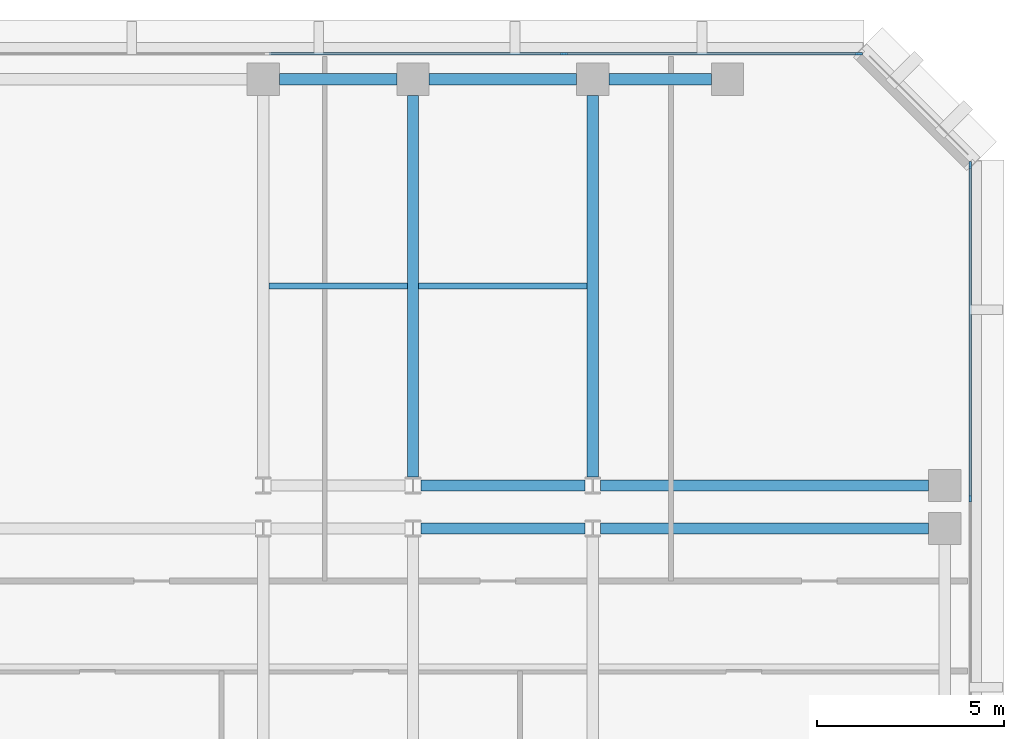
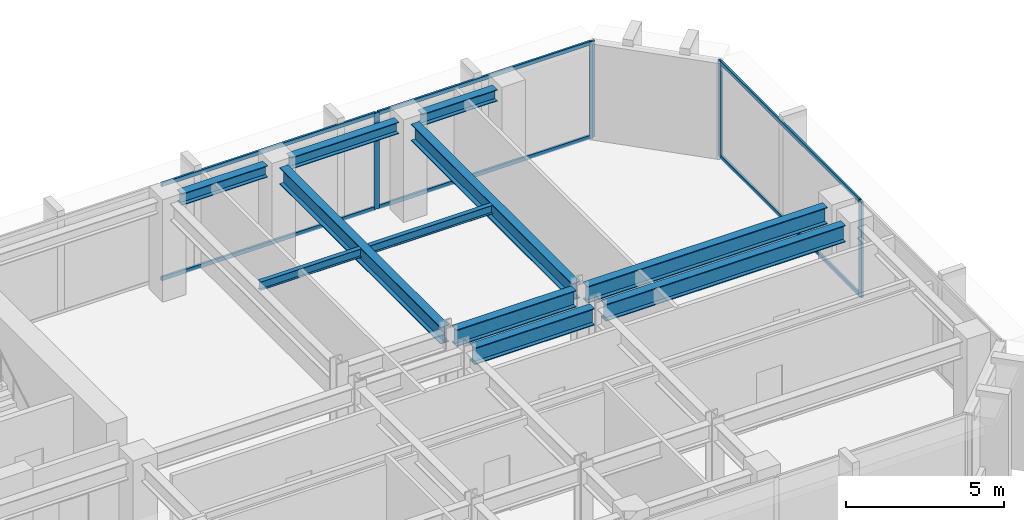
# One storey, part 5 of 12: 11 beams, 10 members, 2 elements without a shape of their own.
"""IFC4 building model written with IfcOpenShell, lengths in metres."""

import ifcopenshell
import ifcopenshell.guid

model = None  # the IFC model being written
_history = None  # IfcOwnerHistory: only IFC2X3 demands one
_inside = {}  # id of a spatial element -> (the spatial element, [elements in it])
_under = {}  # id of a project, library or spatial element -> (it, [spatial elements below it])
_declared = {}  # id of a project -> (the project, [libraries it declares])
_typed = {}  # id of a type object -> (the type object, [elements of that type])
_made_of = {}  # id of a material, layer set ... -> (it, [elements and type objects made of it])


def new_model(schema):
    """Start an empty IFC model of exactly this schema.

    Asked for "IFC4X3", IfcOpenShell would pick the latest addendum, in which some entities
    have other attributes; the version numbers below select the first issue.
    IFC2X3 requires an IfcOwnerHistory on every rooted entity: one is made here for all.
    """
    global model, _history
    if schema == "IFC4X3":
        model = ifcopenshell.file(schema_version=(4, 3, 0, 0))
    else:
        model = ifcopenshell.file(schema=schema)
    _inside.clear()
    _under.clear()
    _declared.clear()
    _typed.clear()
    _made_of.clear()
    _history = None
    if model.schema == "IFC2X3":
        org = make("IfcOrganization", Name="unknown")
        user = make(
            "IfcPersonAndOrganization",
            ThePerson=make("IfcPerson", FamilyName="unknown"),
            TheOrganization=org,
        )
        app = make(
            "IfcApplication",
            ApplicationDeveloper=org,
            Version="unknown",
            ApplicationFullName="unknown",
            ApplicationIdentifier="unknown",
        )
        _history = make(
            "IfcOwnerHistory",
            OwningUser=user,
            OwningApplication=app,
            ChangeAction="ADDED",
            CreationDate=0,
        )
    return model


def make(cls, **values):
    """One entity of the class cls with the attributes given. An attribute that is None is left unset."""
    return model.create_entity(
        cls, **{name: value for name, value in values.items() if value is not None}
    )


def rooted(cls, **values):
    """An entity with a GlobalId (a new one), such as an element, a storey or a relation."""
    return make(cls, GlobalId=ifcopenshell.guid.new(), OwnerHistory=_history, **values)


def si_unit(unit_type, name, prefix=None):
    """IfcSIUnit, for example si_unit("LENGTHUNIT", "METRE", prefix="MILLI")."""
    return make("IfcSIUnit", UnitType=unit_type, Prefix=prefix, Name=name)


def assignment(units):
    """IfcUnitAssignment: the units of a project."""
    return None if units is None else make("IfcUnitAssignment", Units=units)


def point(xyz):
    """IfcCartesianPoint."""
    return None if xyz is None else make("IfcCartesianPoint", Coordinates=xyz)


def direction(xyz):
    """IfcDirection."""
    return None if xyz is None else make("IfcDirection", DirectionRatios=xyz)


def frame(location, z_axis=None, x_axis=None):
    """IfcAxis2Placement3D, a coordinate frame: its origin and axes. An axis left out is left unset."""
    return make(
        "IfcAxis2Placement3D",
        Location=point(location),
        Axis=direction(z_axis),
        RefDirection=direction(x_axis),
    )


def frame_2d(location, x_axis=None):
    """IfcAxis2Placement2D, a coordinate frame in the plane: its origin and x axis."""
    return make(
        "IfcAxis2Placement2D", Location=point(location), RefDirection=direction(x_axis)
    )


def origin():
    """The frame at (0, 0, 0) with its axes left unset."""
    return frame((0.0, 0.0, 0.0))


def origin_2d():
    """The frame at (0, 0) in the plane with its x axis left unset."""
    return frame_2d((0.0, 0.0))


def place(relative_to, where):
    """IfcLocalPlacement: puts the frame where relative to a parent placement (None: the world)."""
    return make(
        "IfcLocalPlacement", PlacementRelTo=relative_to, RelativePlacement=where
    )


def context(
    kind, dimensions, precision=None, world=None, true_north=None, identifier=None
):
    """IfcGeometricRepresentationContext, for example the 3D "Model" context."""
    return make(
        "IfcGeometricRepresentationContext",
        ContextIdentifier=identifier,
        ContextType=kind,
        CoordinateSpaceDimension=dimensions,
        Precision=precision,
        WorldCoordinateSystem=world,
        TrueNorth=true_north,
    )


def subcontext(parent, identifier, kind, view, scale=None):
    """IfcGeometricRepresentationSubContext, for example "Body" below "Model"."""
    return make(
        "IfcGeometricRepresentationSubContext",
        ContextIdentifier=identifier,
        ContextType=kind,
        ParentContext=parent,
        TargetScale=scale,
        TargetView=view,
    )


def project(units=None, contexts=None):
    """IfcProject with its units and contexts."""
    return rooted(
        "IfcProject",
        Name="project",
        RepresentationContexts=contexts,
        UnitsInContext=assignment(units),
    )


def spatial(cls, under=None, at=None, **own):
    """A site, building, storey or space (cls), placed at a placement, below another one or the project."""
    s = rooted(cls, ObjectPlacement=at, **own)
    if under is not None:
        _under.setdefault(under.id(), (under, []))[1].append(s)
    return s


def profile(cls, at=None, kind="AREA", **sizes):
    """A parametric profile (cls). Its sizes go by their IFC names, for example OverallWidth=200.0."""
    return make(cls, ProfileType=kind, Position=at, **sizes)


def rectangle(**sizes):
    """IfcRectangleProfileDef."""
    return profile("IfcRectangleProfileDef", **sizes)


def i_section(**sizes):
    """IfcIShapeProfileDef."""
    return profile("IfcIShapeProfileDef", **sizes)


def extrude(swept, where, along, depth):
    """IfcExtrudedAreaSolid: the profile swept, set in the frame where, extruded along a direction by depth."""
    return make(
        "IfcExtrudedAreaSolid",
        SweptArea=swept,
        Position=where,
        ExtrudedDirection=direction(along),
        Depth=depth,
    )


def shape(context_of_items, identifier, shape_type, items):
    """IfcShapeRepresentation: the items that make up one representation, for example the "Body"."""
    return make(
        "IfcShapeRepresentation",
        ContextOfItems=context_of_items,
        RepresentationIdentifier=identifier,
        RepresentationType=shape_type,
        Items=items,
    )


def material(Name=None, Category=None):
    """IfcMaterial."""
    return make("IfcMaterial", Name=Name, Category=Category)


def layer(
    of_material, thickness, ventilated=None, Name=None, Category=None, Priority=None
):
    """IfcMaterialLayer: one layer of a wall or slab, of a material (None: an air gap)."""
    return make(
        "IfcMaterialLayer",
        Material=of_material,
        LayerThickness=thickness,
        IsVentilated=ventilated,
        Name=Name,
        Category=Category,
        Priority=Priority,
    )


def layer_set(layers, Name=None):
    """IfcMaterialLayerSet."""
    return make("IfcMaterialLayerSet", MaterialLayers=layers, LayerSetName=Name)


def material_profile(
    of_material, cross_section, Name=None, Category=None, Priority=None
):
    """IfcMaterialProfile: a cross section and its material."""
    return make(
        "IfcMaterialProfile",
        Name=Name,
        Material=of_material,
        Profile=cross_section,
        Priority=Priority,
        Category=Category,
    )


def profile_set(profiles, Name=None, composite=None):
    """IfcMaterialProfileSet."""
    return make(
        "IfcMaterialProfileSet",
        Name=Name,
        MaterialProfiles=profiles,
        CompositeProfile=composite,
    )


def made_of(thing, what):
    """Note that an element or type object is made of a material, layer set ...; save() writes the relation."""
    if what is not None:
        _made_of.setdefault(what.id(), (what, []))[1].append(thing)
    return thing


def type_object(cls, material=None, **own):
    """A type object (cls), such as IfcWallType, which elements share."""
    return made_of(rooted(cls, **own), material)


def element(
    cls,
    number,
    at=None,
    inside=None,
    cuts=None,
    type_object=None,
    material=None,
    context=None,
    identifier="Body",
    shape_type=None,
    held_by="IfcProductDefinitionShape",
    body=None,
    shapes=None,
    **own,
):
    """One element of the class cls, such as IfcWall. Its Tag is "e" and its number.

    at: its placement. inside: the storey or other place that contains it. cuts: it is an
    opening in that element (IfcRelVoidsElement). A single representation is given by context,
    identifier, shape_type and body (its items); several are given by shapes. held_by: the class
    of the entity that holds the representations. save() writes the other relations.
    """
    e = rooted(cls, Tag="e%d" % number, ObjectPlacement=at, **own)
    if body is not None:
        shapes = [shape(context, identifier, shape_type, body)]
    if shapes is not None:
        e.Representation = make(held_by, Representations=shapes)
    if inside is not None:
        _inside.setdefault(inside.id(), (inside, []))[1].append(e)
    if cuts is not None:
        rooted(
            "IfcRelVoidsElement", RelatingBuildingElement=cuts, RelatedOpeningElement=e
        )
    if type_object is not None:
        _typed.setdefault(type_object.id(), (type_object, []))[1].append(e)
    return made_of(e, material)


def aggregate(whole, parts):
    """IfcRelAggregates: a whole, such as a stair, and the parts it consists of."""
    return rooted("IfcRelAggregates", RelatingObject=whole, RelatedObjects=parts)


def save(model, path):
    """Write the relations noted so far, then the file.

    IfcRelAggregates (storeys below a building ...), IfcRelContainedInSpatialStructure (elements
    in a storey), IfcRelDefinesByType, IfcRelAssociatesMaterial and IfcRelDeclares: one each for
    every whole, place, type object, material and project.
    """
    for whole, parts in _under.values():
        aggregate(whole, parts)
    for where, things in _inside.values():
        rooted(
            "IfcRelContainedInSpatialStructure",
            RelatedElements=things,
            RelatingStructure=where,
        )
    for kind, things in _typed.values():
        rooted("IfcRelDefinesByType", RelatedObjects=things, RelatingType=kind)
    for what, things in _made_of.values():
        rooted("IfcRelAssociatesMaterial", RelatedObjects=things, RelatingMaterial=what)
    for by, libraries in _declared.values():
        rooted("IfcRelDeclares", RelatingContext=by, RelatedDefinitions=libraries)
    model.write(path)


model = new_model("IFC4")

# Units and contexts
model_context = context("Model", 3, precision=1e-05, world=origin(), true_north=direction((0.0, 1.0)))
body_context = subcontext(model_context, "Body", "Model", "MODEL_VIEW")
ifc_project = project(units=[si_unit("LENGTHUNIT", "METRE"), si_unit("AREAUNIT", "SQUARE_METRE"), si_unit("VOLUMEUNIT", "CUBIC_METRE"), si_unit("PLANEANGLEUNIT", "RADIAN"), si_unit("MASSUNIT", "GRAM", prefix="KILO")], contexts=[model_context])

# Site, building, storey
site_placement = place(None, origin())
site = spatial("IfcSite", under=ifc_project, at=site_placement, CompositionType="ELEMENT")
building_placement = place(site_placement, origin())
building = spatial("IfcBuilding", under=site, at=building_placement, Name="Kefirva Bronze Tower", CompositionType="ELEMENT")
storey_placement = place(building_placement, frame((0.0, 0.0, 118.469970703125)))
storey = spatial("IfcBuildingStorey", under=building, at=storey_placement, Name="L28", CompositionType="ELEMENT", Elevation=118.469970703125)

# Curtain wall, members
ifc_material_1 = material(Name="Bronze anodised aluminium", Category="aluminium")
ifc_layer = layer(ifc_material_1, 0.199951171875, Name="Bronze anodised aluminium")
ifc_layer_set = layer_set([ifc_layer], Name="Bronze anodised aluminium")
curtain_wall_type = type_object("IfcCurtainWallType", Name="Unitised Bronze Ribbon Curtain Wall Zone 2", PredefinedType="USERDEFINED", material=ifc_layer_set)
curtain_wall_1_placement = place(storey_placement, origin())
curtain_wall_1 = element("IfcCurtainWall", 1, at=curtain_wall_1_placement, inside=storey, type_object=curtain_wall_type, Name="L28 Curtain Wall 3", ObjectType="UNITISED CURTAIN WALL", PredefinedType="USERDEFINED")
ifc_material_profile_1 = material_profile(ifc_material_1, rectangle(XDim=0.074951171875, YDim=0.179931640625, at=origin_2d()), Name="ALU 75x180")
ifc_profile_set_1 = profile_set([ifc_material_profile_1], Name="Bronze anodised aluminium")
member_type_1 = type_object("IfcMemberType", Name="Bronze Mullion 75x180", PredefinedType="MULLION", material=ifc_profile_set_1)
member_1_placement = place(storey_placement, frame((50.080078125, 34.0, 0.0), z_axis=(0.0, 0.0, 1.0), x_axis=(-1.0, 0.0, 0.0)))
member_1 = element("IfcMember", 2, at=member_1_placement, type_object=member_type_1, Name="CW-02 mullion 2", PredefinedType="MULLION", context=body_context, shape_type="SweptSolid", body=[
    extrude(rectangle(XDim=0.074951171875, YDim=0.179931640625, at=origin_2d()), origin(), (0.0, 0.0, 1.0), 3.7099609375),
])
member_2_placement = place(storey_placement, frame((50.080078125, 42.907470703125, 0.0), z_axis=(0.0, 0.0, 1.0), x_axis=(-1.0, 0.0, 0.0)))
member_2 = element("IfcMember", 3, at=member_2_placement, type_object=member_type_1, Name="CW-02 mullion 3", PredefinedType="MULLION", context=body_context, shape_type="SweptSolid", body=[
    extrude(rectangle(XDim=0.074951171875, YDim=0.179931640625, at=origin_2d()), origin(), (0.0, 0.0, 1.0), 3.7099609375),
])

curtain_wall_2_placement = place(storey_placement, origin())
curtain_wall_2 = element("IfcCurtainWall", 4, at=curtain_wall_2_placement, inside=storey, type_object=curtain_wall_type, Name="L28 Curtain Wall 4", ObjectType="UNITISED CURTAIN WALL", PredefinedType="USERDEFINED")
member_3_placement = place(storey_placement, frame((47.107421875, 45.8798828125, 0.0), z_axis=(0.0, 0.0, 1.0), x_axis=(0.0, -1.0, 0.0)))
member_3 = element("IfcMember", 5, at=member_3_placement, type_object=member_type_1, Name="CW-02 mullion 1", PredefinedType="MULLION", context=body_context, shape_type="SweptSolid", body=[
    extrude(rectangle(XDim=0.074951171875, YDim=0.179931640625, at=origin_2d()), origin(), (0.0, 0.0, 1.0), 3.7099609375),
])
member_4_placement = place(storey_placement, frame((39.231689453125, 45.8798828125, 0.0), z_axis=(0.0, 0.0, 1.0), x_axis=(0.0, -1.0, 0.0)))
member_4 = element("IfcMember", 6, at=member_4_placement, type_object=member_type_1, Name="CW-02 mullion 2", PredefinedType="MULLION", context=body_context, shape_type="SweptSolid", body=[
    extrude(rectangle(XDim=0.074951171875, YDim=0.179931640625, at=origin_2d()), origin(), (0.0, 0.0, 1.0), 3.7099609375),
])

# Member
ifc_material_profile_2 = material_profile(ifc_material_1, rectangle(XDim=0.074951171875, YDim=0.14990234375, at=origin_2d()), Name="ALU 75x150")
ifc_profile_set_2 = profile_set([ifc_material_profile_2], Name="Bronze anodised aluminium")
member_type_2 = type_object("IfcMemberType", Name="Bronze Transom 75x150", PredefinedType="USERDEFINED", material=ifc_profile_set_2)
member_5_placement = place(storey_placement, frame((50.080078125, 34.03759765625, 0.03759765625), z_axis=(0.0, 1.0, 0.0), x_axis=(-1.0, 0.0, 0.0)))
member_5 = element("IfcMember", 7, at=member_5_placement, type_object=member_type_2, Name="CW-02 transom 2.1", ObjectType="TRANSOM", PredefinedType="USERDEFINED", context=body_context, shape_type="SweptSolid", body=[
    extrude(rectangle(XDim=0.074951171875, YDim=0.14990234375, at=origin_2d()), origin(), (0.0, 0.0, 1.0), 8.83251953125),
])

member_6_placement = place(storey_placement, frame((50.080078125, 34.03759765625, 3.672607421875), z_axis=(0.0, 1.0, 0.0), x_axis=(-1.0, 0.0, 0.0)))
member_6 = element("IfcMember", 8, at=member_6_placement, type_object=member_type_2, Name="CW-02 transom 2.2", ObjectType="TRANSOM", PredefinedType="USERDEFINED", context=body_context, shape_type="SweptSolid", body=[
    extrude(rectangle(XDim=0.074951171875, YDim=0.14990234375, at=origin_2d()), origin(), (0.0, 0.0, 1.0), 8.83251953125),
])

aggregate(curtain_wall_1, [member_1, member_2, member_5, member_6])

member_7_placement = place(storey_placement, frame((47.070068359375, 45.8798828125, 0.03759765625), z_axis=(-1.0, 0.0, 0.0), x_axis=(0.0, -1.0, 0.0)))
member_7 = element("IfcMember", 9, at=member_7_placement, type_object=member_type_2, Name="CW-02 transom 1.1", ObjectType="TRANSOM", PredefinedType="USERDEFINED", context=body_context, shape_type="SweptSolid", body=[
    extrude(rectangle(XDim=0.074951171875, YDim=0.14990234375, at=origin_2d()), origin(), (0.0, 0.0, 1.0), 7.80078125),
])

member_8_placement = place(storey_placement, frame((47.070068359375, 45.8798828125, 3.672607421875), z_axis=(-1.0, 0.0, 0.0), x_axis=(0.0, -1.0, 0.0)))
member_8 = element("IfcMember", 10, at=member_8_placement, type_object=member_type_2, Name="CW-02 transom 1.2", ObjectType="TRANSOM", PredefinedType="USERDEFINED", context=body_context, shape_type="SweptSolid", body=[
    extrude(rectangle(XDim=0.074951171875, YDim=0.14990234375, at=origin_2d()), origin(), (0.0, 0.0, 1.0), 7.80078125),
])

member_9_placement = place(storey_placement, frame((39.194091796875, 45.8798828125, 0.03759765625), z_axis=(-1.0, 0.0, 0.0), x_axis=(0.0, -1.0, 0.0)))
member_9 = element("IfcMember", 11, at=member_9_placement, type_object=member_type_2, Name="CW-02 transom 2.1", ObjectType="TRANSOM", PredefinedType="USERDEFINED", context=body_context, shape_type="SweptSolid", body=[
    extrude(rectangle(XDim=0.074951171875, YDim=0.14990234375, at=origin_2d()), origin(), (0.0, 0.0, 1.0), 7.83837890625),
])

member_10_placement = place(storey_placement, frame((39.194091796875, 45.8798828125, 3.672607421875), z_axis=(-1.0, 0.0, 0.0), x_axis=(0.0, -1.0, 0.0)))
member_10 = element("IfcMember", 12, at=member_10_placement, type_object=member_type_2, Name="CW-02 transom 2.2", ObjectType="TRANSOM", PredefinedType="USERDEFINED", context=body_context, shape_type="SweptSolid", body=[
    extrude(rectangle(XDim=0.074951171875, YDim=0.14990234375, at=origin_2d()), origin(), (0.0, 0.0, 1.0), 7.83837890625),
])

aggregate(curtain_wall_2, [member_3, member_4, member_7, member_8, member_9, member_10])

# Beams
ifc_material_2 = material(Name="Steel S355", Category="steel")
ifc_material_profile_3 = material_profile(ifc_material_2, i_section(OverallWidth=0.159912109375, OverallDepth=0.330078125, WebThickness=0.007568359375, FlangeThickness=0.011474609375, at=origin_2d()), Name="IPE 330")
ifc_profile_set_3 = profile_set([ifc_material_profile_3], Name="Steel S355")
beam_type_1 = type_object("IfcBeamType", Name="Steel Floor Joist IPE 330", PredefinedType="JOIST", material=ifc_profile_set_3)
beam_1_placement = place(storey_placement, frame((31.35009765625, 39.673583984375, 3.544921875), z_axis=(1.0, 0.0, 0.0), x_axis=(0.0, 1.0, 0.0)))
element("IfcBeam", 13, at=beam_1_placement, inside=storey, type_object=beam_type_1, Name="L28 JST-L28-31-396", PredefinedType="JOIST", context=body_context, shape_type="SweptSolid", body=[
    extrude(i_section(OverallWidth=0.159912109375, OverallDepth=0.330078125, WebThickness=0.007568359375, FlangeThickness=0.011474609375, at=origin_2d()), origin(), (0.0, 0.0, 1.0), 3.699951171875),
])
beam_2_placement = place(storey_placement, frame((35.35009765625, 39.673583984375, 3.544921875), z_axis=(1.0, 0.0, 0.0), x_axis=(0.0, 1.0, 0.0)))
element("IfcBeam", 14, at=beam_2_placement, inside=storey, type_object=beam_type_1, Name="L28 JST-L28-35-396", PredefinedType="JOIST", context=body_context, shape_type="SweptSolid", body=[
    extrude(i_section(OverallWidth=0.159912109375, OverallDepth=0.330078125, WebThickness=0.007568359375, FlangeThickness=0.011474609375, at=origin_2d()), origin(), (0.0, 0.0, 1.0), 4.5),
])
ifc_material_profile_4 = material_profile(ifc_material_2, i_section(OverallWidth=0.300048828125, OverallDepth=0.64990234375, WebThickness=0.01611328125, FlangeThickness=0.031005859375, at=origin_2d()), Name="HEB 650")
ifc_profile_set_4 = profile_set([ifc_material_profile_4], Name="Steel S355")
beam_type_2 = type_object("IfcBeamType", Name="Steel Girder HEB 650", PredefinedType="USERDEFINED", material=ifc_profile_set_4)
beam_3_placement = place(storey_placement, frame((35.408935546875, 33.199951171875, 3.385009765625), z_axis=(1.0, 0.0, 0.0), x_axis=(0.0, 1.0, 0.0)))
element("IfcBeam", 15, at=beam_3_placement, inside=storey, type_object=beam_type_2, Name="L28 BM-L28-EW-35-332", ObjectType="GIRDER", PredefinedType="USERDEFINED", context=body_context, shape_type="SweptSolid", body=[
    extrude(i_section(OverallWidth=0.300048828125, OverallDepth=0.64990234375, WebThickness=0.01611328125, FlangeThickness=0.031005859375, at=origin_2d()), origin(), (0.0, 0.0, 1.0), 4.382080078125),
])
beam_4_placement = place(storey_placement, frame((40.208984375, 33.199951171875, 3.385009765625), z_axis=(1.0, 0.0, 0.0), x_axis=(0.0, 1.0, 0.0)))
element("IfcBeam", 16, at=beam_4_placement, inside=storey, type_object=beam_type_2, Name="L28 BM-L28-EW-40-332", ObjectType="GIRDER", PredefinedType="USERDEFINED", context=body_context, shape_type="SweptSolid", body=[
    extrude(i_section(OverallWidth=0.300048828125, OverallDepth=0.64990234375, WebThickness=0.01611328125, FlangeThickness=0.031005859375, at=origin_2d()), origin(), (0.0, 0.0, 1.0), 8.760986328125),
])
beam_5_placement = place(storey_placement, frame((35.408935546875, 34.35009765625, 3.385009765625), z_axis=(1.0, 0.0, 0.0), x_axis=(0.0, 1.0, 0.0)))
element("IfcBeam", 17, at=beam_5_placement, inside=storey, type_object=beam_type_2, Name="L28 BM-L28-EW-35-344", ObjectType="GIRDER", PredefinedType="USERDEFINED", context=body_context, shape_type="SweptSolid", body=[
    extrude(i_section(OverallWidth=0.300048828125, OverallDepth=0.64990234375, WebThickness=0.01611328125, FlangeThickness=0.031005859375, at=origin_2d()), origin(), (0.0, 0.0, 1.0), 4.382080078125),
])
beam_6_placement = place(storey_placement, frame((40.208984375, 34.35009765625, 3.385009765625), z_axis=(1.0, 0.0, 0.0), x_axis=(0.0, 1.0, 0.0)))
element("IfcBeam", 18, at=beam_6_placement, inside=storey, type_object=beam_type_2, Name="L28 BM-L28-EW-40-344", ObjectType="GIRDER", PredefinedType="USERDEFINED", context=body_context, shape_type="SweptSolid", body=[
    extrude(i_section(OverallWidth=0.300048828125, OverallDepth=0.64990234375, WebThickness=0.01611328125, FlangeThickness=0.031005859375, at=origin_2d()), origin(), (0.0, 0.0, 1.0), 8.760986328125),
])
for number, where, z_axis, x_axis, name in (
    (19, (35.199951171875, 34.577392578125, 3.385009765625), (0.0, 1.0, 0.0), (-1.0, 0.0, 0.0), "L28 BM-L28-NS-352-34"),
    (20, (40.0, 34.577392578125, 3.385009765625), (0.0, 1.0, 0.0), (-1.0, 0.0, 0.0), "L28 BM-L28-NS-400-34"),
):
    element("IfcBeam", number, at=place(storey_placement, frame(where, z_axis=z_axis, x_axis=x_axis)), inside=storey, type_object=beam_type_2, Name=name, ObjectType="GIRDER", PredefinedType="USERDEFINED", context=body_context, shape_type="SweptSolid", body=[
        extrude(i_section(OverallWidth=0.300048828125, OverallDepth=0.64990234375, WebThickness=0.01611328125, FlangeThickness=0.031005859375, at=origin_2d()), origin(), (0.0, 0.0, 1.0), 10.192626953125),
    ])
ifc_material_profile_5 = material_profile(ifc_material_2, i_section(OverallWidth=0.300048828125, OverallDepth=0.449951171875, WebThickness=0.013916015625, FlangeThickness=0.02587890625, at=origin_2d()), Name="HEB 450")
ifc_profile_set_5 = profile_set([ifc_material_profile_5], Name="Steel S355")
beam_type_3 = type_object("IfcBeamType", Name="Steel Spandrel HEB 450 Ext", PredefinedType="SPANDREL", material=ifc_profile_set_5)
beam_7_placement = place(storey_placement, frame((31.6298828125, 45.199951171875, 3.485107421875), z_axis=(1.0, 0.0, 0.0), x_axis=(0.0, 1.0, 0.0)))
element("IfcBeam", 21, at=beam_7_placement, inside=storey, type_object=beam_type_3, Name="L28 BM-L28-EW-31-452", PredefinedType="SPANDREL", context=body_context, shape_type="SweptSolid", body=[
    extrude(i_section(OverallWidth=0.300048828125, OverallDepth=0.449951171875, WebThickness=0.013916015625, FlangeThickness=0.02587890625, at=origin_2d()), origin(), (0.0, 0.0, 1.0), 3.14013671875),
])
beam_8_placement = place(storey_placement, frame((35.6298828125, 45.199951171875, 3.485107421875), z_axis=(1.0, 0.0, 0.0), x_axis=(0.0, 1.0, 0.0)))
element("IfcBeam", 22, at=beam_8_placement, inside=storey, type_object=beam_type_3, Name="L28 BM-L28-EW-35-452", PredefinedType="SPANDREL", context=body_context, shape_type="SweptSolid", body=[
    extrude(i_section(OverallWidth=0.300048828125, OverallDepth=0.449951171875, WebThickness=0.013916015625, FlangeThickness=0.02587890625, at=origin_2d()), origin(), (0.0, 0.0, 1.0), 3.940185546875),
])
beam_9_placement = place(storey_placement, frame((40.429931640625, 45.199951171875, 3.485107421875), z_axis=(1.0, 0.0, 0.0), x_axis=(0.0, 1.0, 0.0)))
element("IfcBeam", 23, at=beam_9_placement, inside=storey, type_object=beam_type_3, Name="L28 BM-L28-EW-40-452", PredefinedType="SPANDREL", context=body_context, shape_type="SweptSolid", body=[
    extrude(i_section(OverallWidth=0.300048828125, OverallDepth=0.449951171875, WebThickness=0.013916015625, FlangeThickness=0.02587890625, at=origin_2d()), origin(), (0.0, 0.0, 1.0), 2.739990234375),
])

save(model, "model.ifc")
